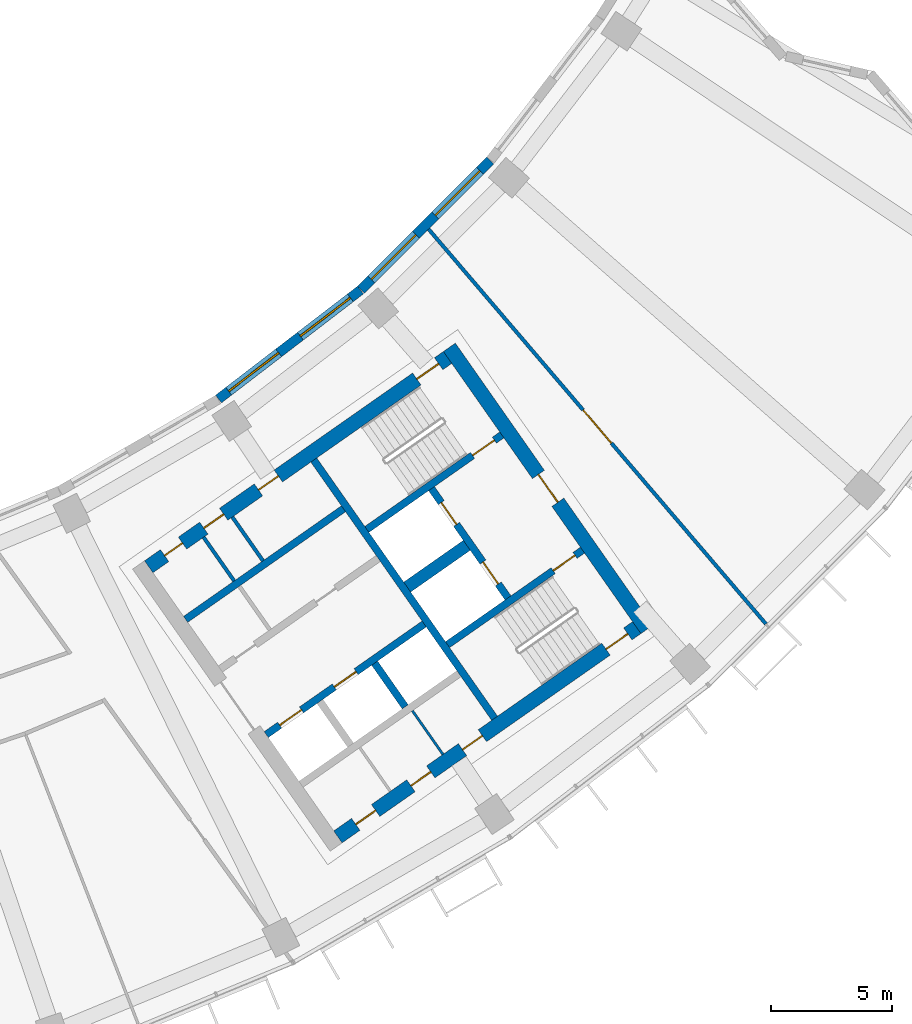
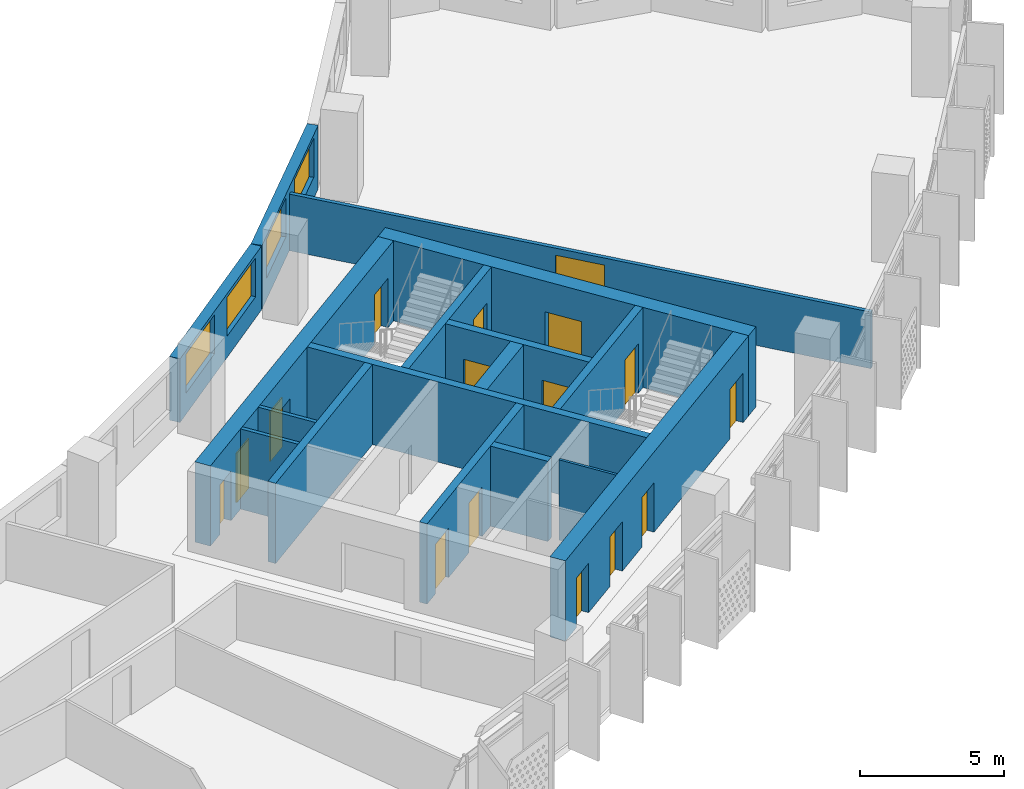
# One storey, part 7 of 27: 17 walls, 16 doors, 4 windows, 20 openings.
"""IFC4 building model written with IfcOpenShell, lengths in metres."""

from ifc_helpers import new_model, si_unit, direction, frame, frame_2d, origin, place, context, subcontext, project, spatial, rectangle, extrude, material, layer, layer_set, type_object, element, fill, save


model = new_model("IFC4")

# Units and contexts
model_context = context("Model", 3, precision=1e-05, world=origin(), true_north=direction((0.0, 1.0)))
body_context = subcontext(model_context, "Body", "Model", "MODEL_VIEW")
ifc_project = project(units=[si_unit("LENGTHUNIT", "METRE"), si_unit("AREAUNIT", "SQUARE_METRE"), si_unit("VOLUMEUNIT", "CUBIC_METRE"), si_unit("PLANEANGLEUNIT", "RADIAN"), si_unit("MASSUNIT", "GRAM", prefix="KILO")], contexts=[model_context])

# Site, building, storey
site_placement = place(None, origin())
site = spatial("IfcSite", under=ifc_project, at=site_placement, CompositionType="ELEMENT")
building_placement = place(site_placement, origin())
building = spatial("IfcBuilding", under=site, at=building_placement, Name="Qamariyya Broadcast Tower", CompositionType="ELEMENT")
storey_placement = place(building_placement, frame((0.0, 0.0, 194.89990234375)))
storey = spatial("IfcBuildingStorey", under=building, at=storey_placement, Name="L46", CompositionType="ELEMENT", Elevation=194.89990234375)

# Wall, opening, door
ifc_material_1 = material(Name="Concrete C60/75", Category="concrete")
ifc_layer_1 = layer(ifc_material_1, 0.60009765625)
ifc_layer_set_1 = layer_set([ifc_layer_1], Name="Core wall 600 mm Concrete C60/75")
wall_type_1 = type_object("IfcWallType", Name="Core wall 600 mm Concrete C60/75", PredefinedType="SHEAR", material=ifc_layer_set_1)
wall_1_placement = place(storey_placement, frame((49.4833984375, -57.031494140625, 0.0), z_axis=(0.0, 0.0, 1.0), x_axis=(-0.573560421458, 0.819163257805, 0.0)))
wall_1 = element("IfcWall", 1, at=wall_1_placement, inside=storey, type_object=wall_type_1, Name="k-E-L46-WH", PredefinedType="SHEAR", context=body_context, shape_type="SweptSolid", body=[
    extrude(rectangle(XDim=14.199951171875, YDim=0.60009765625, at=frame_2d((7.10009765625, 0.0))), origin(), (0.0, 0.0, 1.0), 3.400146484375),
])
opening_1_placement = place(wall_1_placement, frame((6.39990234375, 0.0, 0.0)))
opening_1 = element("IfcOpeningElement", 2, at=opening_1_placement, cuts=wall_1, Name="Opening KD2-E1", PredefinedType="OPENING", context=body_context, shape_type="SweptSolid", body=[
    extrude(rectangle(XDim=1.39990234375, YDim=2.10009765625, at=frame_2d((0.699951171875, 1.050048828125))), frame((0.0, 0.31005859375, 0.0), z_axis=(0.0, -1.0, 0.0), x_axis=(1.0, 0.0, 0.0)), (0.0, 0.0, 1.0), 0.6201171875),
])
ifc_material_2 = material(Name="Steel fire-resisting door leaf", Category="steel")
door_type_1 = type_object("IfcDoorType", Name="Fire-fighting lobby door KD2", OperationType="DOUBLE_DOOR_SINGLE_SWING", PredefinedType="DOOR", material=ifc_material_2)
door_1_placement = place(opening_1_placement, origin())
door_1 = element("IfcDoor", 3, at=door_1_placement, inside=storey, type_object=door_type_1, Name="k-E-L46-WH-D14", OperationType="DOUBLE_DOOR_SINGLE_SWING", OverallHeight=2.10009765625, OverallWidth=1.39990234375, PredefinedType="DOOR", context=body_context, shape_type="SweptSolid", body=[
    extrude(rectangle(XDim=1.39990234375, YDim=2.10009765625, at=frame_2d((0.699951171875, 1.050048828125))), frame((0.0, 0.02490234375, 0.0), z_axis=(0.0, -1.0, 0.0), x_axis=(1.0, 0.0, 0.0)), (0.0, 0.0, 1.0), 0.050048828125),
])
fill(opening_1, door_1)

# Wall, openings, doors
wall_2_placement = place(storey_placement, frame((28.940673828125, -54.447021484375, 0.0), z_axis=(0.0, 0.0, 1.0), x_axis=(0.819153391756, 0.573574511963, 0.0)))
wall_2 = element("IfcWall", 4, at=wall_2_placement, inside=storey, type_object=wall_type_1, Name="k-E-L46-WI", PredefinedType="SHEAR", context=body_context, shape_type="SweptSolid", body=[
    extrude(rectangle(XDim=15.04541015625, YDim=0.60009765625, at=frame_2d((7.522705078125, 0.0))), origin(), (0.0, 0.0, 1.0), 3.400146484375),
])
opening_2_placement = place(wall_2_placement, frame((0.800048828125, 0.0, 0.0)))
opening_2 = element("IfcOpeningElement", 5, at=opening_2_placement, cuts=wall_2, Name="Opening KD5-E1", PredefinedType="OPENING", context=body_context, shape_type="SweptSolid", body=[
    extrude(rectangle(XDim=0.89990234375, YDim=2.10009765625, at=frame_2d((0.449951171875, 1.050048828125))), frame((0.0, 0.31005859375, 0.0), z_axis=(0.0, -1.0, 0.0), x_axis=(1.0, 0.0, 0.0)), (0.0, 0.0, 1.0), 0.6201171875),
])
opening_3_placement = place(wall_2_placement, frame((2.77490234375, 0.0, 0.0)))
opening_3 = element("IfcOpeningElement", 6, at=opening_3_placement, cuts=wall_2, Name="Opening KD7-E1", PredefinedType="OPENING", context=body_context, shape_type="SweptSolid", body=[
    extrude(rectangle(XDim=1.0, YDim=2.10009765625, at=frame_2d((0.5, 1.050048828125))), frame((0.0, 0.31005859375, 0.0), z_axis=(0.0, -1.0, 0.0), x_axis=(1.0, 0.0, 0.0)), (0.0, 0.0, 1.0), 0.6201171875),
])
opening_4_placement = place(wall_2_placement, frame((5.52490234375, 0.0, 0.0)))
opening_4 = element("IfcOpeningElement", 7, at=opening_4_placement, cuts=wall_2, Name="Opening KD6-E3", PredefinedType="OPENING", context=body_context, shape_type="SweptSolid", body=[
    extrude(rectangle(XDim=1.0, YDim=2.10009765625, at=frame_2d((0.5, 1.050048828125))), frame((0.0, 0.31005859375, 0.0), z_axis=(0.0, -1.0, 0.0), x_axis=(1.0, 0.0, 0.0)), (0.0, 0.0, 1.0), 0.6201171875),
])
opening_5_placement = place(wall_2_placement, frame((13.495361328125, 0.0, 0.0)))
opening_5 = element("IfcOpeningElement", 8, at=opening_5_placement, cuts=wall_2, Name="Opening KD1-E1", PredefinedType="OPENING", context=body_context, shape_type="SweptSolid", body=[
    extrude(rectangle(XDim=1.10009765625, YDim=2.10009765625, at=frame_2d((0.550048828125, 1.050048828125))), frame((0.0, 0.31005859375, 0.0), z_axis=(0.0, -1.0, 0.0), x_axis=(1.0, 0.0, 0.0)), (0.0, 0.0, 1.0), 0.6201171875),
])
door_type_2 = type_object("IfcDoorType", Name="Accessible toilet door KD7", OperationType="SINGLE_SWING_LEFT", PredefinedType="DOOR", material=ifc_material_2)
door_2_placement = place(opening_3_placement, origin())
door_2 = element("IfcDoor", 9, at=door_2_placement, inside=storey, type_object=door_type_2, Name="k-E-L46-WI-D7", OperationType="SINGLE_SWING_LEFT", OverallHeight=2.10009765625, OverallWidth=1.0, PredefinedType="DOOR", context=body_context, shape_type="SweptSolid", body=[
    extrude(rectangle(XDim=1.0, YDim=2.10009765625, at=frame_2d((0.5, 1.050048828125))), frame((0.0, 0.02490234375, 0.0), z_axis=(0.0, -1.0, 0.0), x_axis=(1.0, 0.0, 0.0)), (0.0, 0.0, 1.0), 0.050048828125),
])
fill(opening_3, door_2)
door_type_3 = type_object("IfcDoorType", Name="Core room door KD6", OperationType="SINGLE_SWING_LEFT", PredefinedType="DOOR", material=ifc_material_2)
door_3_placement = place(opening_4_placement, origin())
door_3 = element("IfcDoor", 10, at=door_3_placement, inside=storey, type_object=door_type_3, Name="k-E-L46-WI-D8", OperationType="SINGLE_SWING_RIGHT", OverallHeight=2.10009765625, OverallWidth=1.0, PredefinedType="DOOR", context=body_context, shape_type="SweptSolid", body=[
    extrude(rectangle(XDim=1.0, YDim=2.10009765625, at=frame_2d((0.5, 1.050048828125))), frame((0.0, 0.02490234375, 0.0), z_axis=(0.0, -1.0, 0.0), x_axis=(1.0, 0.0, 0.0)), (0.0, 0.0, 1.0), 0.050048828125),
])
fill(opening_4, door_3)
door_type_4 = type_object("IfcDoorType", Name="Stair door KD1", OperationType="SINGLE_SWING_LEFT", PredefinedType="DOOR", material=ifc_material_2)
door_4_placement = place(opening_5_placement, origin())
door_4 = element("IfcDoor", 11, at=door_4_placement, inside=storey, type_object=door_type_4, Name="k-E-L46-WI-D15", OperationType="SINGLE_SWING_RIGHT", OverallHeight=2.10009765625, OverallWidth=1.10009765625, PredefinedType="DOOR", context=body_context, shape_type="SweptSolid", body=[
    extrude(rectangle(XDim=1.10009765625, YDim=2.10009765625, at=frame_2d((0.550048828125, 1.050048828125))), frame((0.0, 0.02490234375, 0.0), z_axis=(0.0, -1.0, 0.0), x_axis=(1.0, 0.0, 0.0)), (0.0, 0.0, 1.0), 0.050048828125),
])
fill(opening_5, door_4)
door_type_5 = type_object("IfcDoorType", Name="Toilet door KD5", OperationType="SINGLE_SWING_LEFT", PredefinedType="DOOR", material=ifc_material_2)
door_5_placement = place(opening_2_placement, origin())
door_5 = element("IfcDoor", 12, at=door_5_placement, inside=storey, type_object=door_type_5, Name="k-E-L46-WI-D6", OperationType="SINGLE_SWING_RIGHT", OverallHeight=2.10009765625, OverallWidth=0.89990234375, PredefinedType="DOOR", context=body_context, shape_type="SweptSolid", body=[
    extrude(rectangle(XDim=0.89990234375, YDim=2.10009765625, at=frame_2d((0.449951171875, 1.050048828125))), frame((0.0, 0.02490234375, 0.0), z_axis=(0.0, -1.0, 0.0), x_axis=(1.0, 0.0, 0.0)), (0.0, 0.0, 1.0), 0.050048828125),
])
fill(opening_2, door_5)

wall_3_placement = place(storey_placement, frame((36.7412109375, -65.58740234375, 0.0), z_axis=(0.0, 0.0, 1.0), x_axis=(0.819153391756, 0.573574511963, 0.0)))
wall_3 = element("IfcWall", 13, at=wall_3_placement, inside=storey, type_object=wall_type_1, Name="k-E-L46-WO", PredefinedType="SHEAR", context=body_context, shape_type="SweptSolid", body=[
    extrude(rectangle(XDim=15.04541015625, YDim=0.60009765625, at=frame_2d((7.522705078125, 0.0))), origin(), (0.0, 0.0, 1.0), 3.400146484375),
])
opening_6_placement = place(wall_3_placement, frame((0.89990234375, 0.0, 0.0)))
opening_6 = element("IfcOpeningElement", 14, at=opening_6_placement, cuts=wall_3, Name="Opening KD4-E1", PredefinedType="OPENING", context=body_context, shape_type="SweptSolid", body=[
    extrude(rectangle(XDim=1.0, YDim=2.10009765625, at=frame_2d((0.5, 1.050048828125))), frame((0.0, 0.31005859375, 0.0), z_axis=(0.0, -1.0, 0.0), x_axis=(1.0, 0.0, 0.0)), (0.0, 0.0, 1.0), 0.6201171875),
])
opening_7_placement = place(wall_3_placement, frame((3.675048828125, 0.0, 0.0)))
opening_7 = element("IfcOpeningElement", 15, at=opening_7_placement, cuts=wall_3, Name="Opening KD4-E2", PredefinedType="OPENING", context=body_context, shape_type="SweptSolid", body=[
    extrude(rectangle(XDim=1.0, YDim=2.10009765625, at=frame_2d((0.5, 1.050048828125))), frame((0.0, 0.31005859375, 0.0), z_axis=(0.0, -1.0, 0.0), x_axis=(1.0, 0.0, 0.0)), (0.0, 0.0, 1.0), 0.6201171875),
])
opening_8_placement = place(wall_3_placement, frame((6.27490234375, 0.0, 0.0)))
opening_8 = element("IfcOpeningElement", 16, at=opening_8_placement, cuts=wall_3, Name="Opening KD4-E3", PredefinedType="OPENING", context=body_context, shape_type="SweptSolid", body=[
    extrude(rectangle(XDim=1.0, YDim=2.10009765625, at=frame_2d((0.5, 1.050048828125))), frame((0.0, 0.31005859375, 0.0), z_axis=(0.0, -1.0, 0.0), x_axis=(1.0, 0.0, 0.0)), (0.0, 0.0, 1.0), 0.6201171875),
])
opening_9_placement = place(wall_3_placement, frame((13.495361328125, 0.0, 0.0)))
opening_9 = element("IfcOpeningElement", 17, at=opening_9_placement, cuts=wall_3, Name="Opening KD1-E3", PredefinedType="OPENING", context=body_context, shape_type="SweptSolid", body=[
    extrude(rectangle(XDim=1.10009765625, YDim=2.10009765625, at=frame_2d((0.550048828125, 1.050048828125))), frame((0.0, 0.31005859375, 0.0), z_axis=(0.0, -1.0, 0.0), x_axis=(1.0, 0.0, 0.0)), (0.0, 0.0, 1.0), 0.6201171875),
])
door_type_6 = type_object("IfcDoorType", Name="Riser and plant door KD4", OperationType="SINGLE_SWING_LEFT", PredefinedType="DOOR", material=ifc_material_2)
door_6_placement = place(opening_6_placement, origin())
door_6 = element("IfcDoor", 18, at=door_6_placement, inside=storey, type_object=door_type_6, Name="k-E-L46-WO-D9", OperationType="SINGLE_SWING_LEFT", OverallHeight=2.10009765625, OverallWidth=1.0, PredefinedType="DOOR", context=body_context, shape_type="SweptSolid", body=[
    extrude(rectangle(XDim=1.0, YDim=2.10009765625, at=frame_2d((0.5, 1.050048828125))), frame((0.0, 0.02490234375, 0.0), z_axis=(0.0, -1.0, 0.0), x_axis=(1.0, 0.0, 0.0)), (0.0, 0.0, 1.0), 0.050048828125),
])
fill(opening_6, door_6)
door_7_placement = place(opening_7_placement, origin())
door_7 = element("IfcDoor", 19, at=door_7_placement, inside=storey, type_object=door_type_6, Name="k-E-L46-WO-D10", OperationType="SINGLE_SWING_RIGHT", OverallHeight=2.10009765625, OverallWidth=1.0, PredefinedType="DOOR", context=body_context, shape_type="SweptSolid", body=[
    extrude(rectangle(XDim=1.0, YDim=2.10009765625, at=frame_2d((0.5, 1.050048828125))), frame((0.0, 0.02490234375, 0.0), z_axis=(0.0, -1.0, 0.0), x_axis=(1.0, 0.0, 0.0)), (0.0, 0.0, 1.0), 0.050048828125),
])
fill(opening_7, door_7)
door_8_placement = place(opening_8_placement, origin())
door_8 = element("IfcDoor", 20, at=door_8_placement, inside=storey, type_object=door_type_6, Name="k-E-L46-WO-D11", OperationType="SINGLE_SWING_LEFT", OverallHeight=2.10009765625, OverallWidth=1.0, PredefinedType="DOOR", context=body_context, shape_type="SweptSolid", body=[
    extrude(rectangle(XDim=1.0, YDim=2.10009765625, at=frame_2d((0.5, 1.050048828125))), frame((0.0, 0.02490234375, 0.0), z_axis=(0.0, -1.0, 0.0), x_axis=(1.0, 0.0, 0.0)), (0.0, 0.0, 1.0), 0.050048828125),
])
fill(opening_8, door_8)
door_9_placement = place(opening_9_placement, origin())
door_9 = element("IfcDoor", 21, at=door_9_placement, inside=storey, type_object=door_type_4, Name="k-E-L46-WO-D17", OperationType="SINGLE_SWING_LEFT", OverallHeight=2.10009765625, OverallWidth=1.10009765625, PredefinedType="DOOR", context=body_context, shape_type="SweptSolid", body=[
    extrude(rectangle(XDim=1.10009765625, YDim=2.10009765625, at=frame_2d((0.550048828125, 1.050048828125))), frame((0.0, 0.02490234375, 0.0), z_axis=(0.0, -1.0, 0.0), x_axis=(1.0, 0.0, 0.0)), (0.0, 0.0, 1.0), 0.050048828125),
])
fill(opening_9, door_9)

# Wall, opening, door
ifc_material_3 = material(Name="Gypsum board partition")
ifc_layer_2 = layer(ifc_material_3, 0.14990234375)
ifc_layer_set_2 = layer_set([ifc_layer_2], Name="Corridor partition 150 EI 60")
wall_type_2 = type_object("IfcWallType", Name="Corridor partition 150 EI 60", PredefinedType="PARTITIONING", material=ifc_layer_set_2)
wall_4_placement = place(storey_placement, frame((40.478759765625, -40.52294921875, 0.0), z_axis=(0.0, 0.0, 1.0), x_axis=(0.649633284071, -0.760247720303, 0.0)))
wall_4 = element("IfcWall", 22, at=wall_4_placement, inside=storey, type_object=wall_type_2, Name="Partition L46-032", PredefinedType="PARTITIONING", context=body_context, shape_type="SweptSolid", body=[
    extrude(rectangle(XDim=21.420166015625, YDim=0.14990234375, at=frame_2d((10.7099609375, 0.0))), origin(), (0.0, 0.0, 1.0), 2.400146484375),
])
opening_10_placement = place(wall_4_placement, frame((9.81005859375, 0.0, 0.0)))
opening_10 = element("IfcOpeningElement", 23, at=opening_10_placement, cuts=wall_4, Name="Opening L46-D16", PredefinedType="OPENING", context=body_context, shape_type="SweptSolid", body=[
    extrude(rectangle(XDim=1.800048828125, YDim=2.10009765625, at=frame_2d((0.89990234375, 1.050048828125))), frame((0.0, 0.0849609375, 0.0), z_axis=(0.0, -1.0, 0.0), x_axis=(1.0, 0.0, 0.0)), (0.0, 0.0, 1.0), 0.169921875),
])
ifc_material_4 = material(Name="Timber fire door leaf", Category="wood")
door_type_7 = type_object("IfcDoorType", Name="Double fire door 1800 x 2100 FD60", OperationType="NOTDEFINED", PredefinedType="DOOR", material=ifc_material_4)
door_10_placement = place(opening_10_placement, origin())
door_10 = element("IfcDoor", 24, at=door_10_placement, inside=storey, type_object=door_type_7, Name="Door L46-D16", OperationType="DOUBLE_DOOR_SINGLE_SWING", OverallHeight=2.10009765625, OverallWidth=1.800048828125, PredefinedType="DOOR", context=body_context, shape_type="SweptSolid", body=[
    extrude(rectangle(XDim=1.800048828125, YDim=2.10009765625, at=frame_2d((0.89990234375, 1.050048828125))), frame((0.0, 0.02490234375, 0.0), z_axis=(0.0, -1.0, 0.0), x_axis=(1.0, 0.0, 0.0)), (0.0, 0.0, 1.0), 0.050048828125),
])
fill(opening_10, door_10)

# Walls
ifc_layer_3 = layer(ifc_material_1, 0.5)
ifc_layer_set_3 = layer_set([ifc_layer_3], Name="Fire-fighting lobby divider wall 500 mm Concrete C60/75")
wall_type_3 = type_object("IfcWallType", Name="Fire-fighting lobby divider wall 500 mm Concrete C60/75", PredefinedType="SOLIDWALL", material=ifc_layer_set_3)
wall_5_placement = place(storey_placement, frame((39.59912109375, -55.28515625, 0.0), z_axis=(0.0, 0.0, 1.0), x_axis=(0.819136323161, 0.573598887793, 0.0)))
element("IfcWall", 25, at=wall_5_placement, inside=storey, type_object=wall_type_3, Name="k-E-L46-FD", PredefinedType="SOLIDWALL", context=body_context, shape_type="SweptSolid", body=[
    extrude(rectangle(XDim=2.999755859375, YDim=0.5, at=frame_2d((1.5, 0.0))), origin(), (0.0, 0.0, 1.0), 3.400146484375),
])
ifc_material_5 = material(Name="Gypsum board partition on steel studs", Category="steel")
ifc_layer_4 = layer(ifc_material_5, 0.14990234375)
ifc_layer_set_4 = layer_set([ifc_layer_4], Name="Gypsum board partition 150 mm")
wall_type_4 = type_object("IfcWallType", Name="Gypsum board partition 150 mm", PredefinedType="PARTITIONING", material=ifc_layer_set_4)
wall_6_placement = place(storey_placement, frame((32.46337890625, -55.0322265625, 0.0), z_axis=(0.0, 0.0, 1.0), x_axis=(-0.573507030513, 0.819200638399, 0.0)))
element("IfcWall", 26, at=wall_6_placement, inside=storey, type_object=wall_type_4, Name="k-E-L46-NP255", PredefinedType="PARTITIONING", context=body_context, shape_type="SweptSolid", body=[
    extrude(rectangle(XDim=2.199951171875, YDim=0.14990234375, at=frame_2d((1.10009765625, 0.0))), origin(), (0.0, 0.0, 1.0), 3.400146484375),
])
wall_7_placement = place(storey_placement, frame((33.651123046875, -54.200439453125, 0.0), z_axis=(0.0, 0.0, 1.0), x_axis=(-0.573559170999, 0.819164133348, 0.0)))
element("IfcWall", 27, at=wall_7_placement, inside=storey, type_object=wall_type_4, Name="k-E-L46-NP400", PredefinedType="PARTITIONING", context=body_context, shape_type="SweptSolid", body=[
    extrude(rectangle(XDim=2.19970703125, YDim=0.14990234375, at=frame_2d((1.099853515625, 0.0))), origin(), (0.0, 0.0, 1.0), 3.400146484375),
])
ifc_layer_5 = layer(ifc_material_1, 0.300048828125)
ifc_layer_set_5 = layer_set([ifc_layer_5], Name="Lift shaft wall 300 mm Concrete C60/75")
wall_type_5 = type_object("IfcWallType", Name="Lift shaft wall 300 mm Concrete C60/75", PredefinedType="SOLIDWALL", material=ifc_layer_set_5)
wall_8_placement = place(storey_placement, frame((43.204345703125, -60.69580078125, 0.0), z_axis=(0.0, 0.0, 1.0), x_axis=(-0.573571992966, 0.819155155563, 0.0)))
element("IfcWall", 28, at=wall_8_placement, inside=storey, type_object=wall_type_5, Name="k-E-L46-WL", PredefinedType="SOLIDWALL", context=body_context, shape_type="SweptSolid", body=[
    extrude(rectangle(XDim=13.000244140625, YDim=0.300048828125, at=frame_2d((6.5, 0.0))), origin(), (0.0, 0.0, 1.0), 3.400146484375),
])
wall_9_placement = place(storey_placement, frame((30.460693359375, -56.61767578125, 0.0), z_axis=(0.0, 0.0, 1.0), x_axis=(0.819142461705, 0.573590121456, 0.0)))
element("IfcWall", 29, at=wall_9_placement, inside=storey, type_object=wall_type_5, Name="k-E-L46-NB0", PredefinedType="SOLIDWALL", context=body_context, shape_type="SweptSolid", body=[
    extrude(rectangle(XDim=7.949951171875, YDim=0.300048828125, at=frame_2d((3.97509765625, 0.0))), origin(), (0.0, 0.0, 1.0), 3.400146484375),
])

# Wall, openings, doors
wall_10_placement = place(storey_placement, frame((33.787353515625, -61.368896484375, 0.0), z_axis=(0.0, 0.0, 1.0), x_axis=(0.819152564888, 0.573575692858, 0.0)))
wall_10 = element("IfcWall", 30, at=wall_10_placement, inside=storey, type_object=wall_type_5, Name="k-E-L46-SF0", PredefinedType="SOLIDWALL", context=body_context, shape_type="SweptSolid", body=[
    extrude(rectangle(XDim=7.9501953125, YDim=0.300048828125, at=frame_2d((3.97509765625, 0.0))), origin(), (0.0, 0.0, 1.0), 3.400146484375),
])
opening_11_placement = place(wall_10_placement, frame((0.675048828125, 0.0, 0.0)))
opening_11 = element("IfcOpeningElement", 31, at=opening_11_placement, cuts=wall_10, Name="Opening LD", PredefinedType="OPENING", context=body_context, shape_type="SweptSolid", body=[
    extrude(rectangle(XDim=1.10009765625, YDim=2.10009765625, at=frame_2d((0.550048828125, 1.050048828125))), frame((0.0, 0.159912109375, 0.0), z_axis=(0.0, -1.0, 0.0), x_axis=(1.0, 0.0, 0.0)), (0.0, 0.0, 1.0), 0.320068359375),
])
opening_12_placement = place(wall_10_placement, frame((3.425048828125, 0.0, 0.0)))
opening_12 = element("IfcOpeningElement", 32, at=opening_12_placement, cuts=wall_10, Name="Opening LD", PredefinedType="OPENING", context=body_context, shape_type="SweptSolid", body=[
    extrude(rectangle(XDim=1.10009765625, YDim=2.10009765625, at=frame_2d((0.550048828125, 1.050048828125))), frame((0.0, 0.159912109375, 0.0), z_axis=(0.0, -1.0, 0.0), x_axis=(1.0, 0.0, 0.0)), (0.0, 0.0, 1.0), 0.320068359375),
])
door_type_8 = type_object("IfcDoorType", Name="Lift landing door LD", OperationType="DOUBLE_DOOR_SLIDING", PredefinedType="DOOR", material=ifc_material_2)
door_11_placement = place(opening_11_placement, origin())
door_11 = element("IfcDoor", 33, at=door_11_placement, inside=storey, type_object=door_type_8, Name="k-E-L46-SF0-D4", OperationType="DOUBLE_DOOR_SLIDING", OverallHeight=2.10009765625, OverallWidth=1.10009765625, PredefinedType="DOOR", context=body_context, shape_type="SweptSolid", body=[
    extrude(rectangle(XDim=1.10009765625, YDim=2.10009765625, at=frame_2d((0.550048828125, 1.050048828125))), frame((0.0, 0.02490234375, 0.0), z_axis=(0.0, -1.0, 0.0), x_axis=(1.0, 0.0, 0.0)), (0.0, 0.0, 1.0), 0.050048828125),
])
fill(opening_11, door_11)
door_12_placement = place(opening_12_placement, origin())
door_12 = element("IfcDoor", 34, at=door_12_placement, inside=storey, type_object=door_type_8, Name="k-E-L46-SF0-D5", OperationType="DOUBLE_DOOR_SLIDING", OverallHeight=2.10009765625, OverallWidth=1.10009765625, PredefinedType="DOOR", context=body_context, shape_type="SweptSolid", body=[
    extrude(rectangle(XDim=1.10009765625, YDim=2.10009765625, at=frame_2d((0.550048828125, 1.050048828125))), frame((0.0, 0.02490234375, 0.0), z_axis=(0.0, -1.0, 0.0), x_axis=(1.0, 0.0, 0.0)), (0.0, 0.0, 1.0), 0.050048828125),
])
fill(opening_12, door_12)

# Wall
wall_11_placement = place(storey_placement, frame((38.255859375, -58.423095703125, 0.0), z_axis=(0.0, 0.0, 1.0), x_axis=(0.573633636671, -0.819111989218, 0.0)))
element("IfcWall", 35, at=wall_11_placement, inside=storey, type_object=wall_type_5, Name="k-E-L46-SD1", PredefinedType="SOLIDWALL", context=body_context, shape_type="SweptSolid", body=[
    extrude(rectangle(XDim=2.199951171875, YDim=0.300048828125, at=frame_2d((1.10009765625, 0.0))), origin(), (0.0, 0.0, 1.0), 3.400146484375),
])

# Wall, opening, door
wall_12_placement = place(storey_placement, frame((37.935546875, -52.90966796875, 0.0), z_axis=(0.0, 0.0, 1.0), x_axis=(0.819147518138, 0.57358290031, 0.0)))
wall_12 = element("IfcWall", 36, at=wall_12_placement, inside=storey, type_object=wall_type_5, Name="k-E-L46-NW", PredefinedType="SOLIDWALL", context=body_context, shape_type="SweptSolid", body=[
    extrude(rectangle(XDim=6.79541015625, YDim=0.300048828125, at=frame_2d((3.397705078125, 0.0))), origin(), (0.0, 0.0, 1.0), 3.400146484375),
])
opening_13_placement = place(wall_12_placement, frame((5.3203125, 0.0, 0.0)))
opening_13 = element("IfcOpeningElement", 37, at=opening_13_placement, cuts=wall_12, Name="Opening KD1-E2", PredefinedType="OPENING", context=body_context, shape_type="SweptSolid", body=[
    extrude(rectangle(XDim=1.10009765625, YDim=2.10009765625, at=frame_2d((0.550048828125, 1.050048828125))), frame((0.0, 0.159912109375, 0.0), z_axis=(0.0, -1.0, 0.0), x_axis=(1.0, 0.0, 0.0)), (0.0, 0.0, 1.0), 0.320068359375),
])
door_13_placement = place(opening_13_placement, origin())
door_13 = element("IfcDoor", 38, at=door_13_placement, inside=storey, type_object=door_type_4, Name="k-E-L46-NW-D16", OperationType="SINGLE_SWING_RIGHT", OverallHeight=2.10009765625, OverallWidth=1.10009765625, PredefinedType="DOOR", context=body_context, shape_type="SweptSolid", body=[
    extrude(rectangle(XDim=1.10009765625, YDim=2.10009765625, at=frame_2d((0.550048828125, 1.050048828125))), frame((0.0, 0.02490234375, 0.0), z_axis=(0.0, -1.0, 0.0), x_axis=(1.0, 0.0, 0.0)), (0.0, 0.0, 1.0), 0.050048828125),
])
fill(opening_13, door_13)

wall_13_placement = place(storey_placement, frame((41.262451171875, -57.66064453125, 0.0), z_axis=(0.0, 0.0, 1.0), x_axis=(0.819164398642, 0.573558792102, 0.0)))
wall_13 = element("IfcWall", 39, at=wall_13_placement, inside=storey, type_object=wall_type_5, Name="k-E-L46-SW", PredefinedType="SOLIDWALL", context=body_context, shape_type="SweptSolid", body=[
    extrude(rectangle(XDim=6.795166015625, YDim=0.300048828125, at=frame_2d((3.3974609375, 0.0))), origin(), (0.0, 0.0, 1.0), 3.400146484375),
])
opening_14_placement = place(wall_13_placement, frame((5.3203125, 0.0, 0.0)))
opening_14 = element("IfcOpeningElement", 40, at=opening_14_placement, cuts=wall_13, Name="Opening KD1-E4", PredefinedType="OPENING", context=body_context, shape_type="SweptSolid", body=[
    extrude(rectangle(XDim=1.10009765625, YDim=2.10009765625, at=frame_2d((0.550048828125, 1.050048828125))), frame((0.0, 0.159912109375, 0.0), z_axis=(0.0, -1.0, 0.0), x_axis=(1.0, 0.0, 0.0)), (0.0, 0.0, 1.0), 0.320068359375),
])
door_14_placement = place(opening_14_placement, origin())
door_14 = element("IfcDoor", 41, at=door_14_placement, inside=storey, type_object=door_type_4, Name="k-E-L46-SW-D18", OperationType="SINGLE_SWING_RIGHT", OverallHeight=2.10009765625, OverallWidth=1.10009765625, PredefinedType="DOOR", context=body_context, shape_type="SweptSolid", body=[
    extrude(rectangle(XDim=1.10009765625, YDim=2.10009765625, at=frame_2d((0.550048828125, 1.050048828125))), frame((0.0, 0.02490234375, 0.0), z_axis=(0.0, -1.0, 0.0), x_axis=(1.0, 0.0, 0.0)), (0.0, 0.0, 1.0), 0.050048828125),
])
fill(opening_14, door_14)

# Wall, openings, doors
wall_14_placement = place(storey_placement, frame((43.756591796875, -55.731201171875, 0.0), z_axis=(0.0, 0.0, 1.0), x_axis=(-0.573536818435, 0.819179783625, 0.0)))
wall_14 = element("IfcWall", 42, at=wall_14_placement, inside=storey, type_object=wall_type_5, Name="k-E-L46-FF", PredefinedType="SOLIDWALL", context=body_context, shape_type="SweptSolid", body=[
    extrude(rectangle(XDim=5.500244140625, YDim=0.300048828125, at=frame_2d((2.75, 0.0))), origin(), (0.0, 0.0, 1.0), 3.400146484375),
])
opening_15_placement = place(wall_14_placement, frame((0.699951171875, 0.0, 0.0)))
opening_15 = element("IfcOpeningElement", 43, at=opening_15_placement, cuts=wall_14, Name="Opening LD", PredefinedType="OPENING", context=body_context, shape_type="SweptSolid", body=[
    extrude(rectangle(XDim=1.10009765625, YDim=2.10009765625, at=frame_2d((0.550048828125, 1.050048828125))), frame((0.0, 0.159912109375, 0.0), z_axis=(0.0, -1.0, 0.0), x_axis=(1.0, 0.0, 0.0)), (0.0, 0.0, 1.0), 0.320068359375),
])
opening_16_placement = place(wall_14_placement, frame((3.699951171875, 0.0, 0.0)))
opening_16 = element("IfcOpeningElement", 44, at=opening_16_placement, cuts=wall_14, Name="Opening LD", PredefinedType="OPENING", context=body_context, shape_type="SweptSolid", body=[
    extrude(rectangle(XDim=1.10009765625, YDim=2.10009765625, at=frame_2d((0.550048828125, 1.050048828125))), frame((0.0, 0.159912109375, 0.0), z_axis=(0.0, -1.0, 0.0), x_axis=(1.0, 0.0, 0.0)), (0.0, 0.0, 1.0), 0.320068359375),
])
door_15_placement = place(opening_15_placement, origin())
door_15 = element("IfcDoor", 45, at=door_15_placement, inside=storey, type_object=door_type_8, Name="k-E-L46-FF-D12", OperationType="DOUBLE_DOOR_SLIDING", OverallHeight=2.10009765625, OverallWidth=1.10009765625, PredefinedType="DOOR", context=body_context, shape_type="SweptSolid", body=[
    extrude(rectangle(XDim=1.10009765625, YDim=2.10009765625, at=frame_2d((0.550048828125, 1.050048828125))), frame((0.0, 0.02490234375, 0.0), z_axis=(0.0, -1.0, 0.0), x_axis=(1.0, 0.0, 0.0)), (0.0, 0.0, 1.0), 0.050048828125),
])
fill(opening_15, door_15)
door_16_placement = place(opening_16_placement, origin())
door_16 = element("IfcDoor", 46, at=door_16_placement, inside=storey, type_object=door_type_8, Name="k-E-L46-FF-D13", OperationType="DOUBLE_DOOR_SLIDING", OverallHeight=2.10009765625, OverallWidth=1.10009765625, PredefinedType="DOOR", context=body_context, shape_type="SweptSolid", body=[
    extrude(rectangle(XDim=1.10009765625, YDim=2.10009765625, at=frame_2d((0.550048828125, 1.050048828125))), frame((0.0, 0.02490234375, 0.0), z_axis=(0.0, -1.0, 0.0), x_axis=(1.0, 0.0, 0.0)), (0.0, 0.0, 1.0), 0.050048828125),
])
fill(opening_16, door_16)

# Wall
ifc_material_6 = material(Name="Fire-rated gypsum shaft liner on steel studs", Category="steel")
ifc_layer_6 = layer(ifc_material_6, 0.10009765625)
ifc_layer_set_6 = layer_set([ifc_layer_6], Name="Riser wall 100 mm")
wall_type_6 = type_object("IfcWallType", Name="Riser wall 100 mm", PredefinedType="PLUMBINGWALL", material=ifc_layer_set_6)
wall_15_placement = place(storey_placement, frame((39.812744140625, -60.384765625, 0.0), z_axis=(0.0, 0.0, 1.0), x_axis=(0.573581496053, -0.819148501424, 0.0)))
element("IfcWall", 47, at=wall_15_placement, inside=storey, type_object=wall_type_6, Name="k-E-L46-SP550", PredefinedType="PLUMBINGWALL", context=body_context, shape_type="SweptSolid", body=[
    extrude(rectangle(XDim=2.2001953125, YDim=0.10009765625, at=frame_2d((1.10009765625, 0.0))), origin(), (0.0, 0.0, 1.0), 3.400146484375),
])

# Wall, openings, windows
ifc_material_7 = material(Name="Terracotta", Category="masonry")
ifc_layer_7 = layer(ifc_material_7, 0.39990234375)
ifc_layer_set_7 = layer_set([ifc_layer_7], Name="Terracotta clad wall 400")
wall_type_7 = type_object("IfcWallType", Name="Terracotta clad wall 400", PredefinedType="SOLIDWALL", material=ifc_layer_set_7)
wall_16_placement = place(storey_placement, frame((37.674560546875, -43.036376953125, 0.0), z_axis=(0.0, 0.0, 1.0), x_axis=(-0.79334647843, -0.608770371457, 0.0)))
wall_16 = element("IfcWall", 48, at=wall_16_placement, inside=storey, type_object=wall_type_7, Name="e-wl-L46-in120", PredefinedType="SOLIDWALL", context=body_context, shape_type="SweptSolid", body=[
    extrude(rectangle(XDim=7.380615234375, YDim=0.39990234375, at=frame_2d((3.6904296875, 0.0))), origin(), (0.0, 0.0, 1.0), 2.7001953125),
])
opening_17_placement = place(wall_16_placement, frame((4.25439453125, 0.0, 0.89990234375)))
opening_17 = element("IfcOpeningElement", 49, at=opening_17_placement, cuts=wall_16, Name="Opening W1", PredefinedType="OPENING", context=body_context, shape_type="SweptSolid", body=[
    extrude(rectangle(XDim=2.60009765625, YDim=1.64990234375, at=frame_2d((1.300048828125, 0.824951171875))), frame((0.0, 0.2099609375, 0.0), z_axis=(0.0, -1.0, 0.0), x_axis=(1.0, 0.0, 0.0)), (0.0, 0.0, 1.0), 0.419921875),
])
opening_18_placement = place(wall_16_placement, frame((0.5263671875, 0.0, 0.89990234375)))
opening_18 = element("IfcOpeningElement", 50, at=opening_18_placement, cuts=wall_16, Name="Opening W1", PredefinedType="OPENING", context=body_context, shape_type="SweptSolid", body=[
    extrude(rectangle(XDim=2.60009765625, YDim=1.64990234375, at=frame_2d((1.300048828125, 0.824951171875))), frame((0.0, 0.2099609375, 0.0), z_axis=(0.0, -1.0, 0.0), x_axis=(1.0, 0.0, 0.0)), (0.0, 0.0, 1.0), 0.419921875),
])
ifc_material_8 = material(Name="Clear low-e double glazed unit in aluminium frame", Category="aluminium")
window_type = type_object("IfcWindowType", Name="Ribbon window 2600 x 1650", PartitioningType="SINGLE_PANEL", PredefinedType="WINDOW", material=ifc_material_8)
window_1_placement = place(opening_17_placement, origin())
window_1 = element("IfcWindow", 51, at=window_1_placement, inside=storey, type_object=window_type, Name="e-w-L46-in12-0", OverallHeight=1.64990234375, OverallWidth=2.60009765625, PartitioningType="SINGLE_PANEL", PredefinedType="WINDOW", context=body_context, shape_type="SweptSolid", body=[
    extrude(rectangle(XDim=2.60009765625, YDim=1.64990234375, at=frame_2d((1.300048828125, 0.824951171875))), frame((0.0, 0.030029296875, 0.0), z_axis=(0.0, -1.0, 0.0), x_axis=(1.0, 0.0, 0.0)), (0.0, 0.0, 1.0), 0.06005859375),
])
fill(opening_17, window_1)
window_2_placement = place(opening_18_placement, origin())
window_2 = element("IfcWindow", 52, at=window_2_placement, inside=storey, type_object=window_type, Name="e-w-L46-in12-1", OverallHeight=1.64990234375, OverallWidth=2.60009765625, PartitioningType="SINGLE_PANEL", PredefinedType="WINDOW", context=body_context, shape_type="SweptSolid", body=[
    extrude(rectangle(XDim=2.60009765625, YDim=1.64990234375, at=frame_2d((1.300048828125, 0.824951171875))), frame((0.0, 0.030029296875, 0.0), z_axis=(0.0, -1.0, 0.0), x_axis=(1.0, 0.0, 0.0)), (0.0, 0.0, 1.0), 0.06005859375),
])
fill(opening_18, window_2)

wall_17_placement = place(storey_placement, frame((43.023193359375, -37.697265625, 0.0), z_axis=(0.0, 0.0, 1.0), x_axis=(-0.707106781187, -0.707106781187, 0.0)))
wall_17 = element("IfcWall", 53, at=wall_17_placement, inside=storey, type_object=wall_type_7, Name="e-wl-L46-in130", PredefinedType="SOLIDWALL", context=body_context, shape_type="SweptSolid", body=[
    extrude(rectangle(XDim=7.531982421875, YDim=0.39990234375, at=frame_2d((3.76611328125, 0.0))), origin(), (0.0, 0.0, 1.0), 2.7001953125),
])
opening_19_placement = place(wall_17_placement, frame((4.330078125, 0.0, 0.89990234375)))
opening_19 = element("IfcOpeningElement", 54, at=opening_19_placement, cuts=wall_17, Name="Opening W1", PredefinedType="OPENING", context=body_context, shape_type="SweptSolid", body=[
    extrude(rectangle(XDim=2.60009765625, YDim=1.64990234375, at=frame_2d((1.300048828125, 0.824951171875))), frame((0.0, 0.2099609375, 0.0), z_axis=(0.0, -1.0, 0.0), x_axis=(1.0, 0.0, 0.0)), (0.0, 0.0, 1.0), 0.419921875),
])
opening_20_placement = place(wall_17_placement, frame((0.60205078125, 0.0, 0.89990234375)))
opening_20 = element("IfcOpeningElement", 55, at=opening_20_placement, cuts=wall_17, Name="Opening W1", PredefinedType="OPENING", context=body_context, shape_type="SweptSolid", body=[
    extrude(rectangle(XDim=2.60009765625, YDim=1.64990234375, at=frame_2d((1.300048828125, 0.824951171875))), frame((0.0, 0.2099609375, 0.0), z_axis=(0.0, -1.0, 0.0), x_axis=(1.0, 0.0, 0.0)), (0.0, 0.0, 1.0), 0.419921875),
])
window_3_placement = place(opening_19_placement, origin())
window_3 = element("IfcWindow", 56, at=window_3_placement, inside=storey, type_object=window_type, Name="e-w-L46-in13-0", OverallHeight=1.64990234375, OverallWidth=2.60009765625, PartitioningType="SINGLE_PANEL", PredefinedType="WINDOW", context=body_context, shape_type="SweptSolid", body=[
    extrude(rectangle(XDim=2.60009765625, YDim=1.64990234375, at=frame_2d((1.300048828125, 0.824951171875))), frame((0.0, 0.030029296875, 0.0), z_axis=(0.0, -1.0, 0.0), x_axis=(1.0, 0.0, 0.0)), (0.0, 0.0, 1.0), 0.06005859375),
])
fill(opening_19, window_3)
window_4_placement = place(opening_20_placement, origin())
window_4 = element("IfcWindow", 57, at=window_4_placement, inside=storey, type_object=window_type, Name="e-w-L46-in13-1", OverallHeight=1.64990234375, OverallWidth=2.60009765625, PartitioningType="SINGLE_PANEL", PredefinedType="WINDOW", context=body_context, shape_type="SweptSolid", body=[
    extrude(rectangle(XDim=2.60009765625, YDim=1.64990234375, at=frame_2d((1.300048828125, 0.824951171875))), frame((0.0, 0.030029296875, 0.0), z_axis=(0.0, -1.0, 0.0), x_axis=(1.0, 0.0, 0.0)), (0.0, 0.0, 1.0), 0.06005859375),
])
fill(opening_20, window_4)

save(model, "model.ifc")
